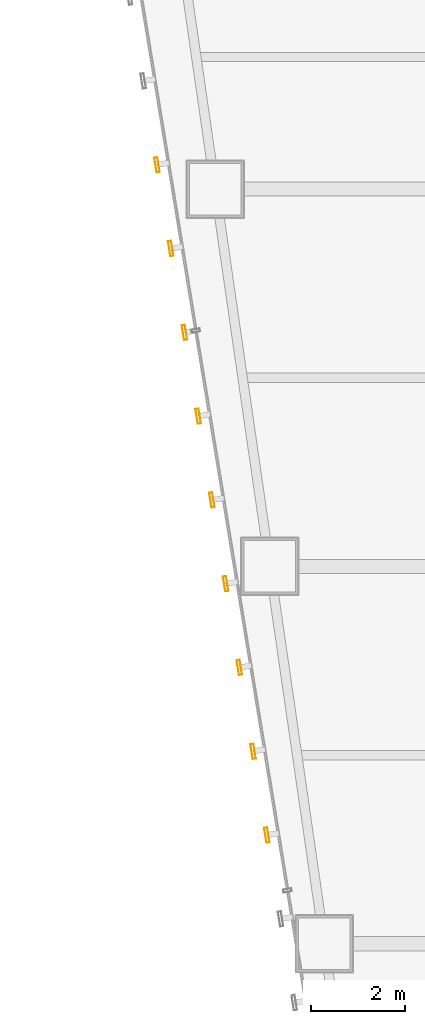
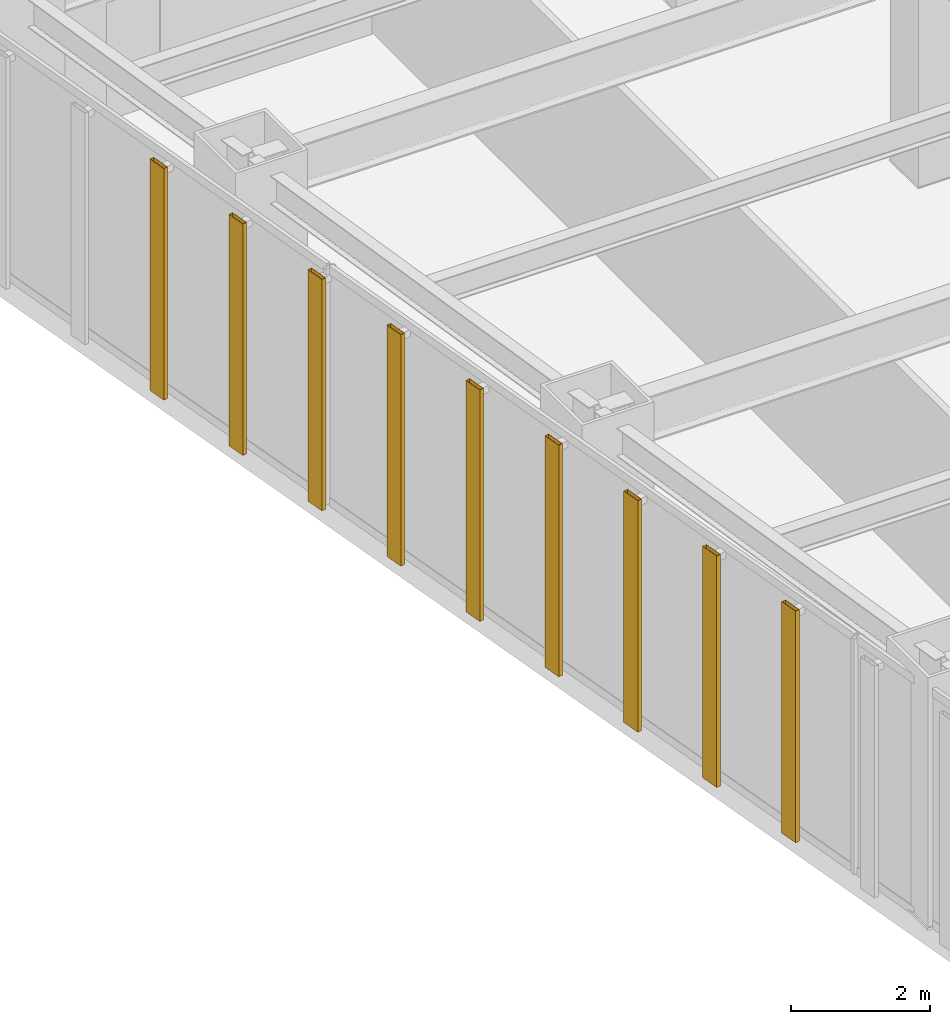
# One storey, part 43 of 49: 9 shading devices.
"""IFC4 building model written with IfcOpenShell, lengths in metres."""

from ifc_helpers import new_model, si_unit, direction, frame, origin, origin_2d, place, context, subcontext, project, spatial, hollow_rectangle, extrude, material, material_profile, profile_set, type_object, element, save


model = new_model("IFC4")

# Units and contexts
model_context = context("Model", 3, precision=1e-05, world=origin(), true_north=direction((0.0, 1.0)))
body_context = subcontext(model_context, "Body", "Model", "MODEL_VIEW")
ifc_project = project(units=[si_unit("LENGTHUNIT", "METRE"), si_unit("AREAUNIT", "SQUARE_METRE"), si_unit("VOLUMEUNIT", "CUBIC_METRE"), si_unit("PLANEANGLEUNIT", "RADIAN"), si_unit("MASSUNIT", "GRAM", prefix="KILO")], contexts=[model_context])

# Site, building, storey
site_placement = place(None, origin())
site = spatial("IfcSite", under=ifc_project, at=site_placement, CompositionType="ELEMENT")
building_placement = place(site_placement, origin())
building = spatial("IfcBuilding", under=site, at=building_placement, Name="Saevonmaru Cultural Tower", CompositionType="ELEMENT")
storey_placement = place(building_placement, frame((0.0, 0.0, 38.39990234375)))
storey = spatial("IfcBuildingStorey", under=building, at=storey_placement, Name="L07", CompositionType="ELEMENT", Elevation=38.39990234375)

# Shading devices
ifc_material = material(Name="Satin Bronze Anodised Aluminium", Category="aluminium")
ifc_material_profile = material_profile(ifc_material, hollow_rectangle(XDim=0.070068359375, YDim=0.320068359375, WallThickness=0.0048828125, at=origin_2d()), Name="FIN-320x70")
ifc_profile_set = profile_set([ifc_material_profile], Name="Satin Bronze Anodised Aluminium")
shading_device_type = type_object("IfcShadingDeviceType", Name="SHD-FIN-320", PredefinedType="JALOUSIE", material=ifc_profile_set)
for number, where, z_axis, x_axis, name in (
    (1, (7.0810546875, 32.513916015625, 0.050048828125), (0.0, 0.0, 1.0), (-0.986827496189, -0.161776057456, 0.0), "L07 Art Deco Sawtooth Bronze Fin E12-12"),
    (2, (7.3720703125, 30.737548828125, 0.050048828125), (0.0, 0.0, 1.0), (-0.986827496189, -0.161776057456, 0.0), "L07 Art Deco Sawtooth Bronze Fin E12-13"),
    (3, (7.6630859375, 28.961181640625, 0.050048828125), (0.0, 0.0, 1.0), (-0.986827496189, -0.161776057456, 0.0), "L07 Art Deco Sawtooth Bronze Fin E12-14"),
    (4, (7.9541015625, 27.184814453125, 0.050048828125), (0.0, 0.0, 1.0), (-0.986827496189, -0.161776057456, 0.0), "L07 Art Deco Sawtooth Bronze Fin E12-15"),
    (5, (8.245361328125, 25.40869140625, 0.050048828125), (0.0, 0.0, 1.0), (-0.986827496189, -0.161776057456, 0.0), "L07 Art Deco Sawtooth Bronze Fin E12-16"),
    (6, (8.536376953125, 23.63232421875, 0.050048828125), (0.0, 0.0, 1.0), (-0.986827496189, -0.161776057456, 0.0), "L07 Art Deco Sawtooth Bronze Fin E12-17"),
    (7, (8.827392578125, 21.85595703125, 0.050048828125), (0.0, 0.0, 1.0), (-0.986827496189, -0.161776057456, 0.0), "L07 Art Deco Sawtooth Bronze Fin E12-18"),
    (8, (9.118408203125, 20.07958984375, 0.050048828125), (0.0, 0.0, 1.0), (-0.986827496189, -0.161776057456, 0.0), "L07 Art Deco Sawtooth Bronze Fin E12-19"),
    (9, (9.40966796875, 18.30322265625, 0.050048828125), (0.0, 0.0, 1.0), (-0.986827496189, -0.161776057456, 0.0), "L07 Art Deco Sawtooth Bronze Fin E12-20"),
):
    element("IfcShadingDevice", number, at=place(storey_placement, frame(where, z_axis=z_axis, x_axis=x_axis)), inside=storey, type_object=shading_device_type, Name=name, PredefinedType="JALOUSIE", context=body_context, shape_type="SweptSolid", body=[
        extrude(hollow_rectangle(XDim=0.070068359375, YDim=0.320068359375, WallThickness=0.0048828125, at=origin_2d()), origin(), (0.0, 0.0, 1.0), 4.080078125),
    ])

save(model, "model.ifc")
